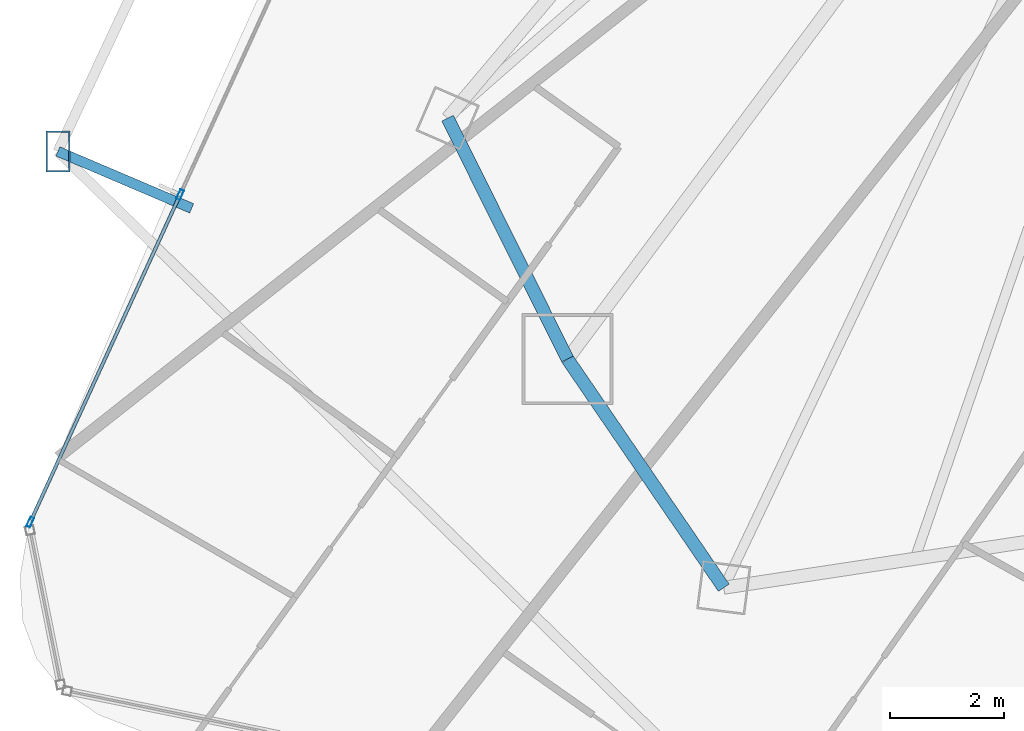
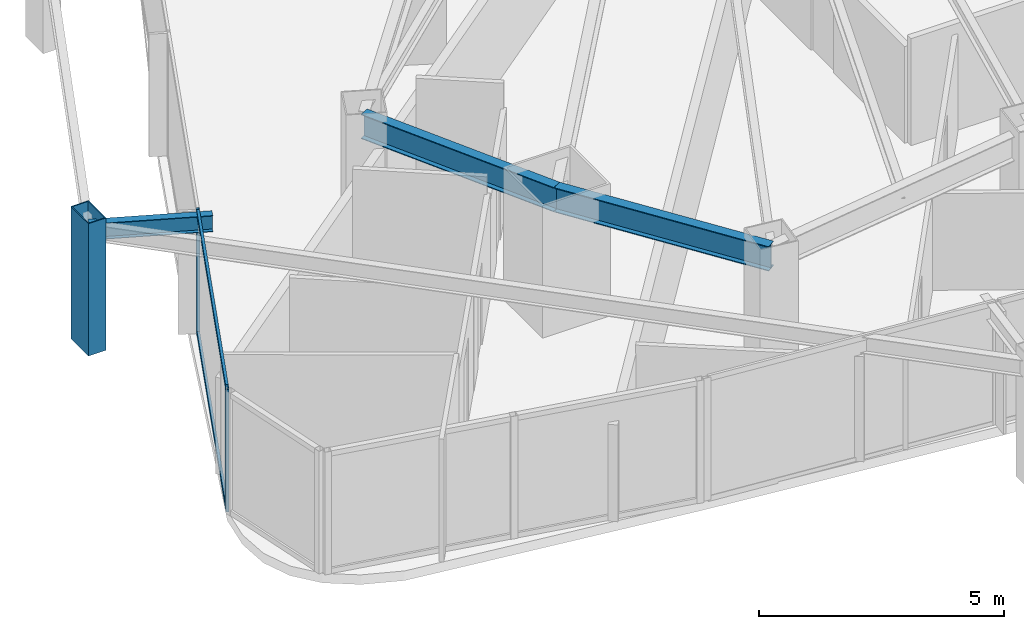
# One storey, part 5 of 37: 5 members, 3 beams, 1 element without a shape of its own.
"""IFC4 building model written with IfcOpenShell, lengths in metres."""

from ifc_helpers import new_model, si_unit, direction, frame, origin, origin_2d, place, context, subcontext, project, spatial, hollow_rectangle, i_section, extrude, material, layer, layer_set, material_profile, profile_set, type_object, element, aggregate, save


model = new_model("IFC4")

# Units and contexts
model_context = context("Model", 3, precision=1e-05, world=origin(), true_north=direction((0.0, 1.0)))
body_context = subcontext(model_context, "Body", "Model", "MODEL_VIEW")
ifc_project = project(units=[si_unit("LENGTHUNIT", "METRE"), si_unit("AREAUNIT", "SQUARE_METRE"), si_unit("VOLUMEUNIT", "CUBIC_METRE"), si_unit("PLANEANGLEUNIT", "RADIAN"), si_unit("MASSUNIT", "GRAM", prefix="KILO")], contexts=[model_context])

# Site, building, storey
site_placement = place(None, origin())
site = spatial("IfcSite", under=ifc_project, at=site_placement, CompositionType="ELEMENT")
building_placement = place(site_placement, origin())
building = spatial("IfcBuilding", under=site, at=building_placement, Name="Orvanel Arch Residences", CompositionType="ELEMENT")
storey_placement = place(building_placement, frame((0.0, 0.0, 53.300048828125)))
storey = spatial("IfcBuildingStorey", under=building, at=storey_placement, Name="L14", CompositionType="ELEMENT", Elevation=53.300048828125)

# Member
ifc_material_1 = material(Name="Structural steel AS/NZS 3678 Grade 350", Category="steel")
ifc_material_profile_1 = material_profile(ifc_material_1, hollow_rectangle(XDim=0.419921875, YDim=0.719970703125, WallThickness=0.02490234375, at=origin_2d()), Name="RHS720x420x25")
ifc_profile_set_1 = profile_set([ifc_material_profile_1], Name="Structural steel AS/NZS 3678 Grade 350")
member_type_1 = type_object("IfcMemberType", Name="CH-720RHS-EXT", PredefinedType="CHORD", material=ifc_profile_set_1)
member_1_placement = place(storey_placement, frame((5.256103515625, 13.99609375, 0.0), z_axis=(0.0, 0.0, 1.0), x_axis=(1.0, 0.0, 0.0)))
element("IfcMember", 1, at=member_1_placement, inside=storey, type_object=member_type_1, Name="L14 Outer Perimeter Frame Post 04", PredefinedType="CHORD", context=body_context, shape_type="SweptSolid", body=[
    extrude(hollow_rectangle(XDim=0.419921875, YDim=0.719970703125, WallThickness=0.02490234375, at=origin_2d()), origin(), (0.0, 0.0, 1.0), 3.300048828125),
])

# Curtain wall, members
ifc_material_2 = material(Name="Bronze-anodised aluminium AA6063-T6", Category="aluminium")
ifc_layer = layer(ifc_material_2, 0.179931640625)
ifc_layer_set = layer_set([ifc_layer], Name="Bronze-anodised aluminium AA6063-T6")
curtain_wall_type = type_object("IfcCurtainWallType", Name="CW2-LOW-SYS", PredefinedType="NOTDEFINED", material=ifc_layer_set)
curtain_wall_placement = place(storey_placement, origin())
curtain_wall = element("IfcCurtainWall", 2, at=curtain_wall_placement, inside=storey, type_object=curtain_wall_type, Name="L14 CW2-LOW-SYS Unitised Curtain Wall", PredefinedType="NOTDEFINED")
ifc_material_profile_2 = material_profile(ifc_material_2, hollow_rectangle(XDim=0.070068359375, YDim=0.179931640625, WallThickness=0.00439453125, at=origin_2d()), Name="ALU180x70x4.5")
ifc_profile_set_2 = profile_set([ifc_material_profile_2], Name="Bronze-anodised aluminium AA6063-T6")
member_type_2 = type_object("IfcMemberType", Name="MUL-180x70", PredefinedType="MULLION", material=ifc_profile_set_2)
member_2_placement = place(storey_placement, frame((7.40087890625, 13.23876953125, 0.0), z_axis=(0.0, 0.0, 1.0), x_axis=(0.909298821002, -0.416143790203, 0.0)))
member_2 = element("IfcMember", 3, at=member_2_placement, type_object=member_type_2, Name="CW-S2 mullion 3", PredefinedType="MULLION", context=body_context, shape_type="SweptSolid", body=[
    extrude(hollow_rectangle(XDim=0.070068359375, YDim=0.179931640625, WallThickness=0.00439453125, at=origin_2d()), origin(), (0.0, 0.0, 1.0), 3.06005859375),
])
member_3_placement = place(storey_placement, frame((4.76953125, 7.48876953125, 0.0), z_axis=(0.0, 0.0, 1.0), x_axis=(0.909298821002, -0.416143790203, 0.0)))
member_3 = element("IfcMember", 4, at=member_3_placement, type_object=member_type_2, Name="CW-S2 mullion 4", PredefinedType="MULLION", context=body_context, shape_type="SweptSolid", body=[
    extrude(hollow_rectangle(XDim=0.070068359375, YDim=0.179931640625, WallThickness=0.00439453125, at=origin_2d()), origin(), (0.0, 0.0, 1.0), 3.06005859375),
])

# Beams
ifc_material_3 = material(Name="Structural steel AS/NZS 3679.1 Grade 300 (300 MPa)", Category="steel")
ifc_material_profile_3 = material_profile(ifc_material_3, i_section(OverallWidth=0.177978515625, OverallDepth=0.406005859375, WebThickness=0.0078125, FlangeThickness=0.0126953125, at=origin_2d()), Name="410UB59.7")
ifc_profile_set_3 = profile_set([ifc_material_profile_3], Name="Structural steel AS/NZS 3679.1 Grade 300 (300 MPa)")
beam_type_1 = type_object("IfcBeamType", Name="OB-410UB-EXT", PredefinedType="SPANDREL", material=ifc_profile_set_3)
beam_1_placement = place(storey_placement, frame((7.60302734375, 12.9970703125, 2.85693359375), z_axis=(-0.920107670362, 0.391665514108, 0.0), x_axis=(-0.391665514108, -0.920107670362, 0.0)))
element("IfcBeam", 5, at=beam_1_placement, inside=storey, type_object=beam_type_1, Name="L14 Outer Frame Radial Tie Beam 04", PredefinedType="SPANDREL", context=body_context, shape_type="SweptSolid", body=[
    extrude(i_section(OverallWidth=0.177978515625, OverallDepth=0.406005859375, WebThickness=0.0078125, FlangeThickness=0.0126953125, at=origin_2d()), origin(), (0.0, 0.0, 1.0), 2.55078125),
])
ifc_material_profile_4 = material_profile(ifc_material_3, i_section(OverallWidth=0.22900390625, OverallDepth=0.612060546875, WebThickness=0.011962890625, FlangeThickness=0.01953125, at=origin_2d()), Name="610UB125")
ifc_profile_set_4 = profile_set([ifc_material_profile_4], Name="Structural steel AS/NZS 3679.1 Grade 300 (300 MPa)")
beam_type_2 = type_object("IfcBeamType", Name="SP-610UB", PredefinedType="SPANDREL", material=ifc_profile_set_4)
beam_2_placement = place(storey_placement, frame((12.094970703125, 14.580078125, 2.75390625), z_axis=(0.44543469453, -0.895314432425, 0.0), x_axis=(0.895314432425, 0.44543469453, 0.0)))
element("IfcBeam", 6, at=beam_2_placement, inside=storey, type_object=beam_type_2, Name="L14 Perimeter Spandrel Beam 02", PredefinedType="SPANDREL", context=body_context, shape_type="SweptSolid", body=[
    extrude(i_section(OverallWidth=0.22900390625, OverallDepth=0.612060546875, WebThickness=0.011962890625, FlangeThickness=0.01953125, at=origin_2d()), origin(), (0.0, 0.0, 1.0), 4.723388671875),
])
beam_3_placement = place(storey_placement, frame((14.198974609375, 10.35107421875, 2.75390625), z_axis=(0.564251579852, -0.825602903722, 0.0), x_axis=(0.825602903722, 0.564251579852, 0.0)))
element("IfcBeam", 7, at=beam_3_placement, inside=storey, type_object=beam_type_2, Name="L14 Perimeter Spandrel Beam 03", PredefinedType="SPANDREL", context=body_context, shape_type="SweptSolid", body=[
    extrude(i_section(OverallWidth=0.22900390625, OverallDepth=0.612060546875, WebThickness=0.011962890625, FlangeThickness=0.01953125, at=origin_2d()), origin(), (0.0, 0.0, 1.0), 4.859375),
])

# Member
ifc_material_profile_5 = material_profile(ifc_material_2, hollow_rectangle(XDim=0.06005859375, YDim=0.135009765625, WallThickness=0.00390625, at=origin_2d()), Name="ALU135x60x4")
ifc_profile_set_5 = profile_set([ifc_material_profile_5], Name="Bronze-anodised aluminium AA6063-T6")
member_type_3 = type_object("IfcMemberType", Name="TRN-135x60", PredefinedType="USERDEFINED", material=ifc_profile_set_5)
member_4_placement = place(storey_placement, frame((7.386474609375, 13.206787109375, 0.030029296875), z_axis=(-0.416151858143, -0.909295128638, 0.0), x_axis=(0.909295128638, -0.416151858143, 0.0)))
member_4 = element("IfcMember", 8, at=member_4_placement, type_object=member_type_3, Name="CW-S2 transom 3.1", ObjectType="TRANSOM", PredefinedType="USERDEFINED", context=body_context, shape_type="SweptSolid", body=[
    extrude(hollow_rectangle(XDim=0.06005859375, YDim=0.135009765625, WallThickness=0.00390625, at=origin_2d()), origin(), (0.0, 0.0, 1.0), 6.253173828125),
])

member_5_placement = place(storey_placement, frame((7.386474609375, 13.206787109375, 3.030029296875), z_axis=(-0.416151858143, -0.909295128638, 0.0), x_axis=(0.909295128638, -0.416151858143, 0.0)))
member_5 = element("IfcMember", 9, at=member_5_placement, type_object=member_type_3, Name="CW-S2 transom 3.2", ObjectType="TRANSOM", PredefinedType="USERDEFINED", context=body_context, shape_type="SweptSolid", body=[
    extrude(hollow_rectangle(XDim=0.06005859375, YDim=0.135009765625, WallThickness=0.00390625, at=origin_2d()), origin(), (0.0, 0.0, 1.0), 6.253173828125),
])

aggregate(curtain_wall, [member_2, member_3, member_4, member_5])

save(model, "model.ifc")
